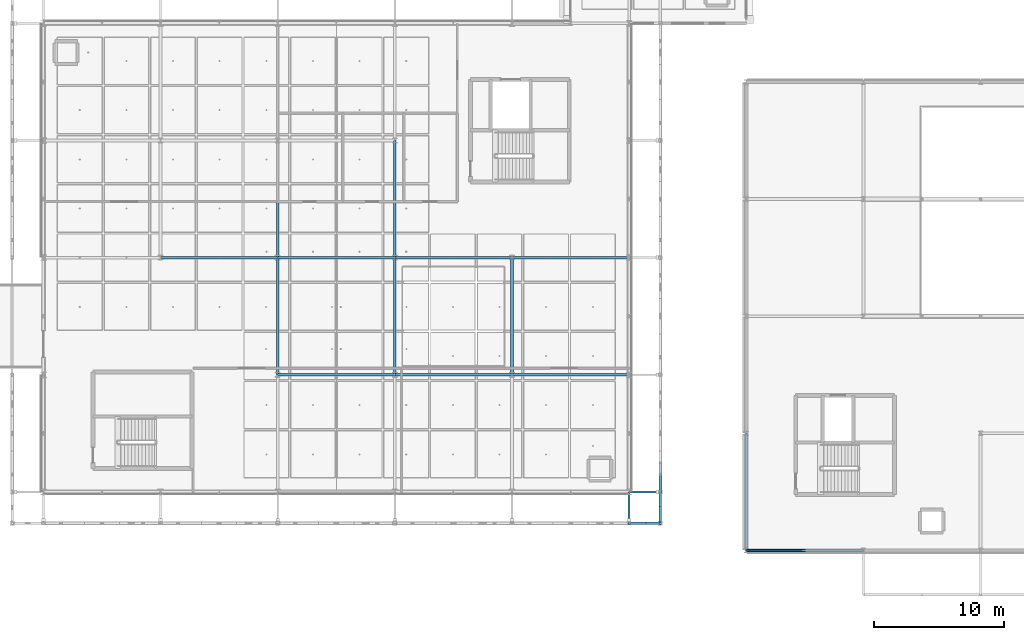
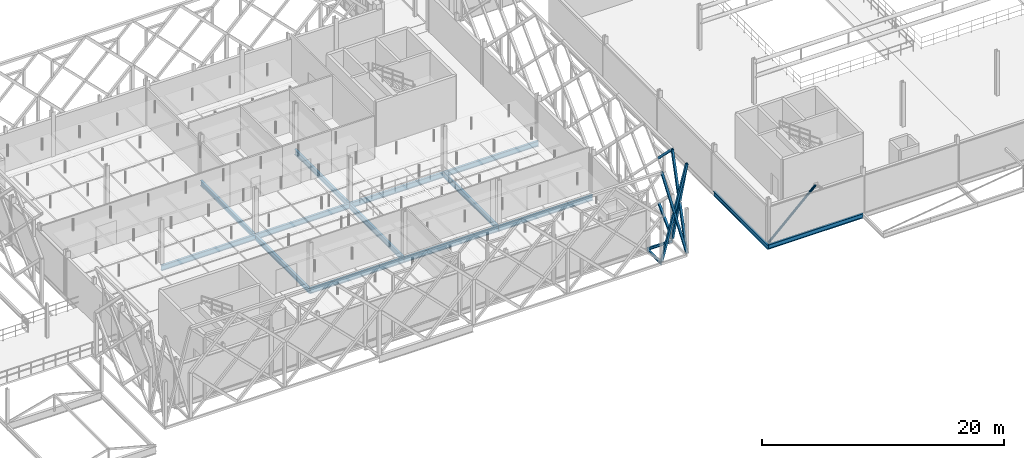
# One storey, part 31 of 140: 16 beams, 9 members.
"""IFC4 building model written with IfcOpenShell, lengths in metres."""

from ifc_helpers import new_model, si_unit, direction, frame, origin, origin_2d, place, context, subcontext, project, spatial, hollow_rectangle, hollow_circle, i_section, extrude, material, material_profile, profile_set, type_object, element, save


model = new_model("IFC4")

# Units and contexts
model_context = context("Model", 3, precision=1e-05, world=origin(), true_north=direction((0.0, 1.0)))
body_context = subcontext(model_context, "Body", "Model", "MODEL_VIEW")
ifc_project = project(units=[si_unit("LENGTHUNIT", "METRE"), si_unit("AREAUNIT", "SQUARE_METRE"), si_unit("VOLUMEUNIT", "CUBIC_METRE"), si_unit("PLANEANGLEUNIT", "RADIAN"), si_unit("MASSUNIT", "GRAM", prefix="KILO"), si_unit("THERMODYNAMICTEMPERATUREUNIT", "KELVIN"), si_unit("POWERUNIT", "WATT")], contexts=[model_context])

# Site, building, storey
site_placement = place(None, origin())
site = spatial("IfcSite", under=ifc_project, at=site_placement, CompositionType="ELEMENT")
building_placement = place(site_placement, origin())
building = spatial("IfcBuilding", under=site, at=building_placement, Name="Tallowbark Science Centre", CompositionType="ELEMENT")
storey_placement = place(building_placement, frame((0.0, 0.0, 9.89990234375)))
storey = spatial("IfcBuildingStorey", under=building, at=storey_placement, Name="L02", CompositionType="ELEMENT", Elevation=9.89990234375)

# Beams
ifc_material_1 = material(Name="White Architectural Painted Steel Grade C350L0 (350 MPa)", Category="steel")
ifc_material_profile_1 = material_profile(ifc_material_1, i_section(OverallWidth=0.146484375, OverallDepth=0.256103515625, WebThickness=0.00634765625, FlangeThickness=0.010986328125, FilletRadius=0.0087890625, at=origin_2d()), Name="250UB37.3")
ifc_profile_set_1 = profile_set([ifc_material_profile_1], Name="White Architectural Painted Steel Grade C350L0 (350 MPa)")
beam_type_1 = type_object("IfcBeamType", Name="BM-OUT250", PredefinedType="BEAM", material=ifc_profile_set_1)
for number, where, z_axis, x_axis, name in (
    (1, (103.5, 4.5, -0.25), (0.0, -1.0, 0.0), (1.0, 0.0, 0.0), "Star Screen Outrigger Tie Beam S-29"),
    (2, (103.5, 4.5, -0.25), (1.0, 0.0, 0.0), (0.0, 1.0, 0.0), "Star Screen Outrigger Tie Beam E-31"),
):
    element("IfcBeam", number, at=place(storey_placement, frame(where, z_axis=z_axis, x_axis=x_axis)), inside=storey, type_object=beam_type_1, Name=name, PredefinedType="BEAM", context=body_context, shape_type="SweptSolid", body=[
        extrude(i_section(OverallWidth=0.146484375, OverallDepth=0.256103515625, WebThickness=0.00634765625, FlangeThickness=0.010986328125, FilletRadius=0.0087890625, at=origin_2d()), origin(), (0.0, 0.0, 1.0), 2.39990234375),
    ])
ifc_material_2 = material(Name="Structural Steel Grade 300PLUS (300 MPa)", Category="steel")
ifc_material_profile_2 = material_profile(ifc_material_2, i_section(OverallWidth=0.208984375, OverallDepth=0.532958984375, WebThickness=0.01025390625, FlangeThickness=0.015625, FilletRadius=0.013916015625, at=origin_2d()), Name="530UB92.4")
ifc_profile_set_2 = profile_set([ifc_material_profile_2], Name="Structural Steel Grade 300PLUS (300 MPa)")
beam_type_2 = type_object("IfcBeamType", Name="BM-UB530A", PredefinedType="BEAM", material=ifc_profile_set_2)
for number, where, z_axis, x_axis, name in (
    (3, (76.5, 13.5, -0.4462890625), (1.0, 0.0, 0.0), (0.0, 1.0, 0.0), "Primary Girder GRDX-L02-765-855-135"),
    (4, (85.5, 13.5, -0.4462890625), (1.0, 0.0, 0.0), (0.0, 1.0, 0.0), "Primary Girder GRDX-L02-855-945-135"),
    (5, (94.5, 13.5, -0.4462890625), (1.0, 0.0, 0.0), (0.0, 1.0, 0.0), "Primary Girder GRDX-L02-945-1035-135"),
    (6, (67.5, 22.5, -0.4462890625), (1.0, 0.0, 0.0), (0.0, 1.0, 0.0), "Primary Girder GRDX-L02-675-765-225"),
    (7, (76.5, 22.5, -0.4462890625), (1.0, 0.0, 0.0), (0.0, 1.0, 0.0), "Primary Girder GRDX-L02-765-855-225"),
    (8, (85.5, 22.5, -0.4462890625), (1.0, 0.0, 0.0), (0.0, 1.0, 0.0), "Primary Girder GRDX-L02-855-945-225"),
    (9, (94.5, 22.5, -0.4462890625), (1.0, 0.0, 0.0), (0.0, 1.0, 0.0), "Primary Girder GRDX-L02-945-1035-225"),
):
    element("IfcBeam", number, at=place(storey_placement, frame(where, z_axis=z_axis, x_axis=x_axis)), inside=storey, type_object=beam_type_2, Name=name, PredefinedType="BEAM", context=body_context, shape_type="SweptSolid", body=[
        extrude(i_section(OverallWidth=0.208984375, OverallDepth=0.532958984375, WebThickness=0.01025390625, FlangeThickness=0.015625, FilletRadius=0.013916015625, at=origin_2d()), origin(), (0.0, 0.0, 1.0), 9.0),
    ])
ifc_material_profile_3 = material_profile(ifc_material_2, i_section(OverallWidth=0.208740234375, OverallDepth=0.5283203125, WebThickness=0.009521484375, FlangeThickness=0.01318359375, FilletRadius=0.013916015625, at=origin_2d()), Name="530UB82.0")
ifc_profile_set_3 = profile_set([ifc_material_profile_3], Name="Structural Steel Grade 300PLUS (300 MPa)")
beam_type_3 = type_object("IfcBeamType", Name="BM-UB530B", PredefinedType="BEAM", material=ifc_profile_set_3)
for number, where, z_axis, x_axis, name in (
    (10, (76.5, 13.5, -0.444091796875), (0.0, 1.0, 0.0), (-1.0, 0.0, 0.0), "Primary Girder GRDY-L02-765-135-225"),
    (11, (76.5, 22.5, -0.444091796875), (0.0, 1.0, 0.0), (-1.0, 0.0, 0.0), "Primary Girder GRDY-L02-765-225-315"),
    (12, (85.5, 13.5, -0.444091796875), (0.0, 1.0, 0.0), (-1.0, 0.0, 0.0), "Primary Girder GRDY-L02-855-135-225"),
    (13, (85.5, 22.5, -0.444091796875), (0.0, 1.0, 0.0), (-1.0, 0.0, 0.0), "Primary Girder GRDY-L02-855-225-315"),
    (14, (94.5, 13.5, -0.444091796875), (0.0, 1.0, 0.0), (-1.0, 0.0, 0.0), "Primary Girder GRDY-L02-945-135-225"),
):
    element("IfcBeam", number, at=place(storey_placement, frame(where, z_axis=z_axis, x_axis=x_axis)), inside=storey, type_object=beam_type_3, Name=name, PredefinedType="BEAM", context=body_context, shape_type="SweptSolid", body=[
        extrude(i_section(OverallWidth=0.208740234375, OverallDepth=0.5283203125, WebThickness=0.009521484375, FlangeThickness=0.01318359375, FilletRadius=0.013916015625, at=origin_2d()), origin(), (0.0, 0.0, 1.0), 9.0),
    ])

# Members
ifc_material_3 = material(Name="Structural Steel Grade C350L0 (350 MPa)", Category="steel")
ifc_material_profile_4 = material_profile(ifc_material_3, hollow_circle(Radius=0.109619140625, WallThickness=0.00830078125, at=origin_2d()), Name="219.1x8.2CHS")
ifc_profile_set_4 = profile_set([ifc_material_profile_4], Name="Structural Steel Grade C350L0 (350 MPa)")
member_type_1 = type_object("IfcMemberType", Name="CBF-219CHS", PredefinedType="BRACE", material=ifc_profile_set_4)
member_1_placement = place(storey_placement, frame((112.5, 0.0, 0.0), z_axis=(0.72701315255, 0.0, 0.686623532964), x_axis=(0.0, 1.0, 0.0)))
element("IfcMember", 15, at=member_1_placement, inside=storey, type_object=member_type_1, Name="Concentric Chevron Brace CBF-THT-S1 L02 Left", PredefinedType="BRACE", context=body_context, shape_type="SweptSolid", body=[
    extrude(hollow_circle(Radius=0.109619140625, WallThickness=0.00830078125, at=origin_2d()), origin(), (0.0, 0.0, 1.0), 6.189697265625),
])
ifc_material_profile_5 = material_profile(ifc_material_1, hollow_rectangle(XDim=0.199951171875, YDim=0.199951171875, WallThickness=0.009033203125, at=origin_2d()), Name="200x200x9.0SHS")
ifc_profile_set_5 = profile_set([ifc_material_profile_5], Name="White Architectural Painted Steel Grade C350L0 (350 MPa)")
member_type_2 = type_object("IfcMemberType", Name="SCR-STAR139", PredefinedType="BRACE", material=ifc_profile_set_5)
for number, where, z_axis, x_axis, name in (
    (16, (105.89990234375, 4.5, 0.0), (0.0, 0.707106781187, 0.707106781187), (-1.0, 0.0, 0.0), "Star Screen Continuous X-Diagonal D1A E-29"),
    (17, (105.89990234375, 4.5, 9.0), (0.0, 0.707106781187, -0.707106781187), (-1.0, 0.0, 0.0), "Star Screen Split X-Diagonal D2A E-29"),
):
    element("IfcMember", number, at=place(storey_placement, frame(where, z_axis=z_axis, x_axis=x_axis)), inside=storey, type_object=member_type_2, Name=name, PredefinedType="BRACE", context=body_context, shape_type="SweptSolid", body=[
        extrude(hollow_rectangle(XDim=0.199951171875, YDim=0.199951171875, WallThickness=0.009033203125, at=origin_2d()), origin(), (0.0, 0.0, 1.0), 3.181884765625),
    ])
member_2_placement = place(storey_placement, frame((103.5, 2.10009765625, 0.0), z_axis=(0.257652862255, 0.0, 0.966237549763), x_axis=(0.0, 1.0, 0.0)))
element("IfcMember", 18, at=member_2_placement, inside=storey, type_object=member_type_2, Name="Star Screen Corner Continuous Diagonal SEX-L02", PredefinedType="BRACE", context=body_context, shape_type="SweptSolid", body=[
    extrude(hollow_rectangle(XDim=0.199951171875, YDim=0.199951171875, WallThickness=0.009033203125, at=origin_2d()), origin(), (0.0, 0.0, 1.0), 9.314453125),
])
for number, where, z_axis, x_axis, name in (
    (19, (105.89990234375, 2.10009765625, 0.0), (-0.257652862255, 0.0, 0.966237549763), (0.0, -1.0, 0.0), "Star Screen Corner Split Diagonal A SEX-L02"),
    (20, (104.699951171875, 2.10009765625, 4.5), (-0.257652862255, 0.0, 0.966237549763), (0.0, -1.0, 0.0), "Star Screen Corner Split Diagonal B SEX-L02"),
):
    element("IfcMember", number, at=place(storey_placement, frame(where, z_axis=z_axis, x_axis=x_axis)), inside=storey, type_object=member_type_2, Name=name, PredefinedType="BRACE", context=body_context, shape_type="SweptSolid", body=[
        extrude(hollow_rectangle(XDim=0.199951171875, YDim=0.199951171875, WallThickness=0.009033203125, at=origin_2d()), origin(), (0.0, 0.0, 1.0), 4.6572265625),
    ])
member_3_placement = place(storey_placement, frame((105.89990234375, 2.10009765625, 0.0), z_axis=(0.0, 0.257652862255, 0.966237549763), x_axis=(-1.0, 0.0, 0.0)))
element("IfcMember", 21, at=member_3_placement, inside=storey, type_object=member_type_2, Name="Star Screen Corner Continuous Diagonal SEY-L02", PredefinedType="BRACE", context=body_context, shape_type="SweptSolid", body=[
    extrude(hollow_rectangle(XDim=0.199951171875, YDim=0.199951171875, WallThickness=0.009033203125, at=origin_2d()), origin(), (0.0, 0.0, 1.0), 9.314453125),
])
for number, where, z_axis, x_axis, name in (
    (22, (105.89990234375, 4.5, 0.0), (0.0, -0.257652862255, 0.966237549763), (1.0, 0.0, 0.0), "Star Screen Corner Split Diagonal A SEY-L02"),
    (23, (105.89990234375, 3.300048828125, 4.5), (0.0, -0.257652862255, 0.966237549763), (1.0, 0.0, 0.0), "Star Screen Corner Split Diagonal B SEY-L02"),
):
    element("IfcMember", number, at=place(storey_placement, frame(where, z_axis=z_axis, x_axis=x_axis)), inside=storey, type_object=member_type_2, Name=name, PredefinedType="BRACE", context=body_context, shape_type="SweptSolid", body=[
        extrude(hollow_rectangle(XDim=0.199951171875, YDim=0.199951171875, WallThickness=0.009033203125, at=origin_2d()), origin(), (0.0, 0.0, 1.0), 4.6572265625),
    ])

# Beams
ifc_material_profile_6 = material_profile(ifc_material_2, i_section(OverallWidth=0.18994140625, OverallDepth=0.453857421875, WebThickness=0.008544921875, FlangeThickness=0.0126953125, FilletRadius=0.011474609375, at=origin_2d()), Name="460UB67.1")
ifc_profile_set_6 = profile_set([ifc_material_profile_6], Name="Structural Steel Grade 300PLUS (300 MPa)")
beam_type_4 = type_object("IfcBeamType", Name="SPN-UB460", PredefinedType="SPANDREL", material=ifc_profile_set_6)
for number, where, z_axis, x_axis, name in (
    (24, (112.5, 0.0, -0.40673828125), (1.0, 0.0, 0.0), (0.0, 1.0, 0.0), "Primary Girder GRDX-L02-1125-1215-0"),
    (25, (112.5, 0.0, -0.471923828125), (0.0, 1.0, 0.0), (-1.0, 0.0, 0.0), "Primary Girder GRDY-L02-1125-0-90"),
):
    element("IfcBeam", number, at=place(storey_placement, frame(where, z_axis=z_axis, x_axis=x_axis)), inside=storey, type_object=beam_type_4, Name=name, PredefinedType="SPANDREL", context=body_context, shape_type="SweptSolid", body=[
        extrude(i_section(OverallWidth=0.18994140625, OverallDepth=0.453857421875, WebThickness=0.008544921875, FlangeThickness=0.0126953125, FilletRadius=0.011474609375, at=origin_2d()), origin(), (0.0, 0.0, 1.0), 9.0),
    ])

save(model, "model.ifc")
